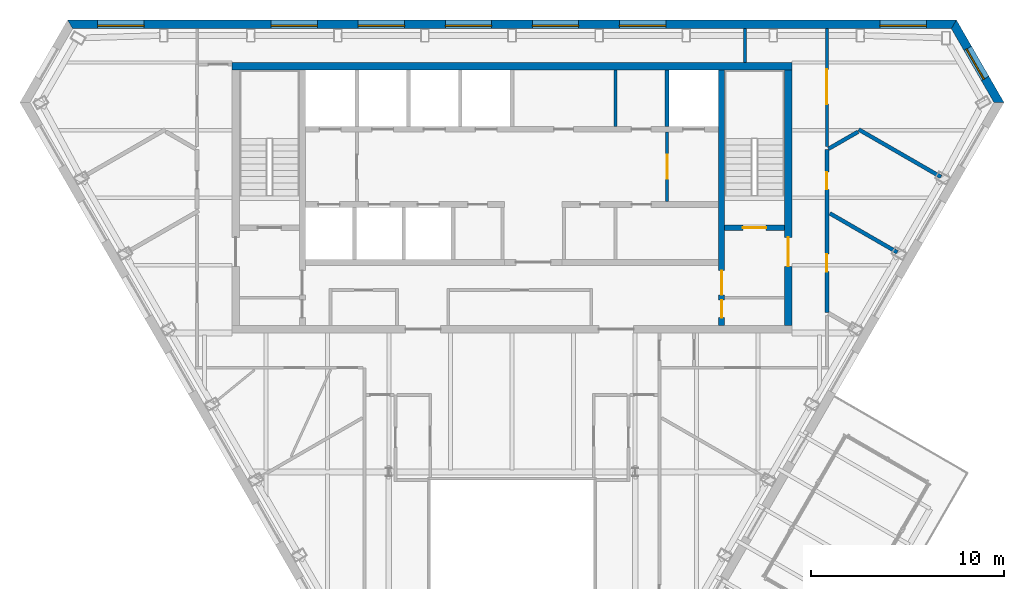
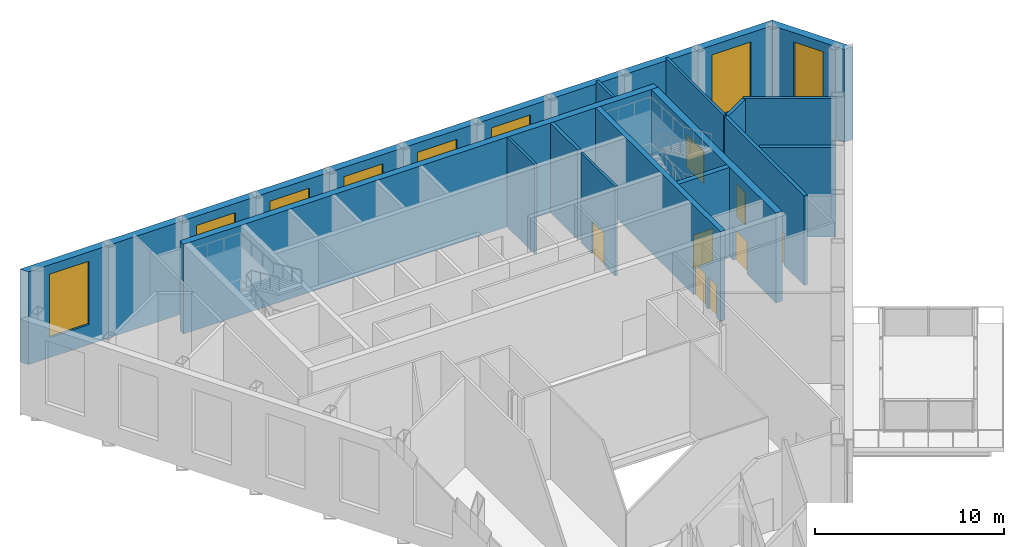
# One storey, part 8 of 11: 15 walls, 8 doors, 8 windows, 16 openings.
"""IFC4 building model written with IfcOpenShell, lengths in metres."""

from ifc_helpers import new_model, si_unit, direction, frame, frame_2d, origin, place, context, subcontext, project, spatial, polyline, rectangle, outline, extrude, material, layer, layer_set, type_object, element, fill, save


model = new_model("IFC4")

# Units and contexts
model_context = context("Model", 3, precision=1e-05, world=origin(), true_north=direction((0.0, 1.0)))
body_context = subcontext(model_context, "Body", "Model", "MODEL_VIEW")
ifc_project = project(units=[si_unit("LENGTHUNIT", "METRE"), si_unit("AREAUNIT", "SQUARE_METRE"), si_unit("VOLUMEUNIT", "CUBIC_METRE"), si_unit("PLANEANGLEUNIT", "RADIAN"), si_unit("MASSUNIT", "GRAM", prefix="KILO")], contexts=[model_context])

# Site, building, storey
site_placement = place(None, origin())
site = spatial("IfcSite", under=ifc_project, at=site_placement, CompositionType="ELEMENT")
building_placement = place(site_placement, origin())
building = spatial("IfcBuilding", under=site, at=building_placement, Name="Njiva Tower", CompositionType="ELEMENT")
storey_placement = place(building_placement, frame((0.0, 0.0, 298.2)))
storey = spatial("IfcBuildingStorey", under=building, at=storey_placement, Name="L68", CompositionType="ELEMENT", Elevation=298.2)

# Wall
ifc_material_1 = material(Name="Blockwork", Category="masonry")
ifc_layer_1 = layer(ifc_material_1, 0.15)
ifc_layer_set_1 = layer_set([ifc_layer_1], Name="Blockwork")
wall_type_1 = type_object("IfcWallType", Name="WT1 Compartment partition 150", PredefinedType="PARTITIONING", material=ifc_layer_set_1)
wall_1_placement = place(storey_placement, frame((5.35, 14.7, 0.0), z_axis=(0.0, 0.0, 1.0), x_axis=(0.0, 1.0, 0.0)))
element("IfcWall", 1, at=wall_1_placement, inside=storey, type_object=wall_type_1, Name="Partition CN6", PredefinedType="PARTITIONING", context=body_context, shape_type="SweptSolid", body=[
    extrude(rectangle(XDim=2.9, YDim=0.15, at=frame_2d((1.45, 0.0))), origin(), (0.0, 0.0, 1.0), 5.8),
])

# Wall, openings, doors
ifc_material_2 = material(Name="Concrete C40/50", Category="concrete")
ifc_layer_2 = layer(ifc_material_2, 0.3)
ifc_layer_set_2 = layer_set([ifc_layer_2], Name="Concrete C40/50")
wall_type_2 = type_object("IfcWallType", Name="WT10 Stair enclosure wall 300", PredefinedType="SHEAR", material=ifc_layer_set_2)
wall_2_placement = place(storey_placement, frame((10.85, 4.4, 0.0), z_axis=(0.0, 0.0, 1.0), x_axis=(0.0, 1.0, 0.0)))
wall_2 = element("IfcWall", 2, at=wall_2_placement, inside=storey, type_object=wall_type_2, Name="Stair wall east inner", PredefinedType="SHEAR", context=body_context, shape_type="SweptSolid", body=[
    extrude(rectangle(XDim=13.2, YDim=0.3, at=frame_2d((6.6, 0.0))), origin(), (0.0, 0.0, 1.0), 5.8),
])
opening_1_placement = place(wall_2_placement, frame((1.575, 0.0, 0.0)))
opening_1 = element("IfcOpeningElement", 3, at=opening_1_placement, cuts=wall_2, Name="Opening S22-D921", PredefinedType="OPENING", context=body_context, shape_type="SweptSolid", body=[
    extrude(rectangle(XDim=1.25, YDim=2.1, at=frame_2d((0.625, 1.05))), frame((0.0, 0.16, 0.0), z_axis=(0.0, -1.0, 0.0), x_axis=(1.0, 0.0, 0.0)), (0.0, 0.0, 1.0), 0.32),
])
opening_2_placement = place(wall_2_placement, frame((0.4, 0.0, 0.0)))
opening_2 = element("IfcOpeningElement", 4, at=opening_2_placement, cuts=wall_2, Name="Opening S22-D923", PredefinedType="OPENING", context=body_context, shape_type="SweptSolid", body=[
    extrude(rectangle(XDim=0.9, YDim=2.1, at=frame_2d((0.45, 1.05))), frame((0.0, 0.16, 0.0), z_axis=(0.0, -1.0, 0.0), x_axis=(1.0, 0.0, 0.0)), (0.0, 0.0, 1.0), 0.32),
])
ifc_material_3 = material(Name="Steel door, painted", Category="steel")
door_type_1 = type_object("IfcDoorType", Name="D13 Steel door 900x2100", OperationType="SINGLE_SWING_LEFT", PredefinedType="DOOR", material=ifc_material_3)
door_1_placement = place(opening_2_placement, origin())
door_1 = element("IfcDoor", 5, at=door_1_placement, inside=storey, type_object=door_type_1, Name="Reading room door", OperationType="SINGLE_SWING_LEFT", OverallHeight=2.1, OverallWidth=0.9, PredefinedType="DOOR", context=body_context, shape_type="SweptSolid", body=[
    extrude(rectangle(XDim=0.9, YDim=2.1, at=frame_2d((0.45, 1.05))), frame((0.0, 0.025, 0.0), z_axis=(0.0, -1.0, 0.0), x_axis=(1.0, 0.0, 0.0)), (0.0, 0.0, 1.0), 0.05),
])
fill(opening_2, door_1)
ifc_material_4 = material(Name="Glazed steel fire door", Category="steel")
door_type_2 = type_object("IfcDoorType", Name="D8 Vestibule corridor door 1250x2100 glazed", OperationType="SINGLE_SWING_LEFT", PredefinedType="DOOR", material=ifc_material_4)
door_2_placement = place(opening_1_placement, origin())
door_2 = element("IfcDoor", 6, at=door_2_placement, inside=storey, type_object=door_type_2, Name="Stair vestibule corridor door", OperationType="SINGLE_SWING_RIGHT", OverallHeight=2.1, OverallWidth=1.25, PredefinedType="DOOR", context=body_context, shape_type="SweptSolid", body=[
    extrude(rectangle(XDim=1.25, YDim=2.1, at=frame_2d((0.625, 1.05))), frame((0.0, 0.025, 0.0), z_axis=(0.0, -1.0, 0.0), x_axis=(1.0, 0.0, 0.0)), (0.0, 0.0, 1.0), 0.05),
])
fill(opening_1, door_2)

# Wall, opening, door
wall_3_placement = place(storey_placement, frame((11.0, 9.45, 0.0), z_axis=(0.0, 0.0, 1.0), x_axis=(1.0, 0.0, 0.0)))
wall_3 = element("IfcWall", 7, at=wall_3_placement, inside=storey, type_object=wall_type_2, Name="Stair B south wall", PredefinedType="SHEAR", context=body_context, shape_type="SweptSolid", body=[
    extrude(rectangle(XDim=3.1, YDim=0.3, at=frame_2d((1.55, 0.0))), origin(), (0.0, 0.0, 1.0), 5.8),
])
opening_3_placement = place(wall_3_placement, frame((0.95, 0.0, 0.0)))
opening_3 = element("IfcOpeningElement", 8, at=opening_3_placement, cuts=wall_3, Name="Opening S22-D920", PredefinedType="OPENING", context=body_context, shape_type="SweptSolid", body=[
    extrude(rectangle(XDim=1.2, YDim=2.1, at=frame_2d((0.6, 1.05))), frame((0.0, 0.16, 0.0), z_axis=(0.0, -1.0, 0.0), x_axis=(1.0, 0.0, 0.0)), (0.0, 0.0, 1.0), 0.32),
])
door_type_3 = type_object("IfcDoorType", Name="D7 Stair vestibule door 1200x2100 glazed", OperationType="SINGLE_SWING_LEFT", PredefinedType="DOOR", material=ifc_material_4)
door_3_placement = place(opening_3_placement, origin())
door_3 = element("IfcDoor", 9, at=door_3_placement, inside=storey, type_object=door_type_3, Name="Stair B door", OperationType="SINGLE_SWING_LEFT", OverallHeight=2.1, OverallWidth=1.2, PredefinedType="DOOR", context=body_context, shape_type="SweptSolid", body=[
    extrude(rectangle(XDim=1.2, YDim=2.1, at=frame_2d((0.6, 1.05))), frame((0.0, 0.025, 0.0), z_axis=(0.0, -1.0, 0.0), x_axis=(1.0, 0.0, 0.0)), (0.0, 0.0, 1.0), 0.05),
])
fill(opening_3, door_3)

# Wall
ifc_material_5 = material(Name="Concrete C60/75", Category="concrete")
ifc_layer_3 = layer(ifc_material_5, 0.4)
ifc_layer_set_3 = layer_set([ifc_layer_3], Name="Concrete C60/75")
wall_type_3 = type_object("IfcWallType", Name="WT11 Core wall 400", PredefinedType="SHEAR", material=ifc_layer_set_3)
wall_4_placement = place(storey_placement, frame((-14.5, 17.8, 0.0), z_axis=(0.0, 0.0, 1.0), x_axis=(1.0, 0.0, 0.0)))
element("IfcWall", 10, at=wall_4_placement, inside=storey, type_object=wall_type_3, Name="Core wall north", PredefinedType="SHEAR", context=body_context, shape_type="SweptSolid", body=[
    extrude(rectangle(XDim=29.0, YDim=0.4, at=frame_2d((14.5, 0.0))), origin(), (0.0, 0.0, 1.0), 5.8),
])

# Wall, opening, door
wall_5_placement = place(storey_placement, frame((14.3, 4.4, 0.0), z_axis=(0.0, 0.0, 1.0), x_axis=(0.0, 1.0, 0.0)))
wall_5 = element("IfcWall", 11, at=wall_5_placement, inside=storey, type_object=wall_type_3, Name="Core wall east", PredefinedType="SHEAR", context=body_context, shape_type="SweptSolid", body=[
    extrude(rectangle(XDim=13.2, YDim=0.4, at=frame_2d((6.6, 0.0))), origin(), (0.0, 0.0, 1.0), 5.8),
])
opening_4_placement = place(wall_5_placement, frame((3.05, 0.0, 0.0)))
opening_4 = element("IfcOpeningElement", 12, at=opening_4_placement, cuts=wall_5, Name="Opening S22-D922", PredefinedType="OPENING", context=body_context, shape_type="SweptSolid", body=[
    extrude(rectangle(XDim=1.5, YDim=2.1, at=frame_2d((0.75, 1.05))), frame((0.0, 0.21, 0.0), z_axis=(0.0, -1.0, 0.0), x_axis=(1.0, 0.0, 0.0)), (0.0, 0.0, 1.0), 0.42),
])
door_type_4 = type_object("IfcDoorType", Name="D10 Exit door double 1500x2100 glazed", OperationType="DOUBLE_DOOR_SINGLE_SWING", PredefinedType="DOOR", material=ifc_material_4)
door_4_placement = place(opening_4_placement, origin())
door_4 = element("IfcDoor", 13, at=door_4_placement, inside=storey, type_object=door_type_4, Name="Stair B corridor door", OperationType="DOUBLE_DOOR_SINGLE_SWING", OverallHeight=2.1, OverallWidth=1.5, PredefinedType="DOOR", context=body_context, shape_type="SweptSolid", body=[
    extrude(rectangle(XDim=1.5, YDim=2.1, at=frame_2d((0.75, 1.05))), frame((0.0, 0.025, 0.0), z_axis=(0.0, -1.0, 0.0), x_axis=(1.0, 0.0, 0.0)), (0.0, 0.0, 1.0), 0.05),
])
fill(opening_4, door_4)

ifc_layer_4 = layer(ifc_material_1, 0.15)
ifc_layer_set_4 = layer_set([ifc_layer_4], Name="Blockwork")
wall_type_4 = type_object("IfcWallType", Name="WT2 Lobby partition 150", PredefinedType="PARTITIONING", material=ifc_layer_set_4)
wall_6_placement = place(storey_placement, frame((8.025, 10.8, 0.0), z_axis=(0.0, 0.0, 1.0), x_axis=(0.0, 1.0, 0.0)))
wall_6 = element("IfcWall", 14, at=wall_6_placement, inside=storey, type_object=wall_type_4, Name="Firefighting lobby wall B", PredefinedType="PARTITIONING", context=body_context, shape_type="SweptSolid", body=[
    extrude(rectangle(XDim=3.6, YDim=0.15, at=frame_2d((1.8, 0.0))), origin(), (0.0, 0.0, 1.0), 5.8),
])
opening_5_placement = place(wall_6_placement, frame((1.175, 0.0, 0.0)))
opening_5 = element("IfcOpeningElement", 15, at=opening_5_placement, cuts=wall_6, Name="Opening S22-D919", PredefinedType="OPENING", context=body_context, shape_type="SweptSolid", body=[
    extrude(rectangle(XDim=1.25, YDim=2.1, at=frame_2d((0.625, 1.05))), frame((0.0, 0.085, 0.0), z_axis=(0.0, -1.0, 0.0), x_axis=(1.0, 0.0, 0.0)), (0.0, 0.0, 1.0), 0.17),
])
door_5_placement = place(opening_5_placement, origin())
door_5 = element("IfcDoor", 16, at=door_5_placement, inside=storey, type_object=door_type_2, Name="Stair vestibule corridor door", OperationType="SINGLE_SWING_LEFT", OverallHeight=2.1, OverallWidth=1.25, PredefinedType="DOOR", context=body_context, shape_type="SweptSolid", body=[
    extrude(rectangle(XDim=1.25, YDim=2.1, at=frame_2d((0.625, 1.05))), frame((0.0, 0.025, 0.0), z_axis=(0.0, -1.0, 0.0), x_axis=(1.0, 0.0, 0.0)), (0.0, 0.0, 1.0), 0.05),
])
fill(opening_5, door_5)

# Wall
ifc_material_6 = material(Name="Gypsum board on steel studs", Category="gypsum")
ifc_layer_5 = layer(ifc_material_6, 0.15)
ifc_layer_set_5 = layer_set([ifc_layer_5], Name="Gypsum board on steel studs")
wall_type_5 = type_object("IfcWallType", Name="WT21 Compartment wall 150", PredefinedType="PARTITIONING", material=ifc_layer_set_5)
wall_7_placement = place(storey_placement, frame((12.05, 18.0, 0.0), z_axis=(0.0, 0.0, 1.0), x_axis=(0.0, 1.0, 0.0)))
element("IfcWall", 17, at=wall_7_placement, inside=storey, type_object=wall_type_5, Name="Partition S22-P032", PredefinedType="PARTITIONING", context=body_context, shape_type="SweptSolid", body=[
    extrude(rectangle(XDim=1.75, YDim=0.15, at=frame_2d((0.875, 0.0))), origin(), (0.0, 0.0, 1.0), 5.8),
])

# Wall, opening, door
wall_8_placement = place(storey_placement, frame((16.3, 19.748, 0.0), z_axis=(0.0, 0.0, 1.0), x_axis=(0.00016385384, -0.999999986576, 0.0)))
wall_8 = element("IfcWall", 18, at=wall_8_placement, inside=storey, type_object=wall_type_5, Name="Partition S22-P035", PredefinedType="PARTITIONING", context=body_context, shape_type="SweptSolid", body=[
    extrude(rectangle(XDim=6.103, YDim=0.15, at=frame_2d((3.0515, 0.0))), origin(), (0.0, 0.0, 1.0), 5.8),
])
opening_6_placement = place(wall_8_placement, frame((2.102, 0.0, 0.0)))
opening_6 = element("IfcOpeningElement", 19, at=opening_6_placement, cuts=wall_8, Name="Opening S22-D020", PredefinedType="OPENING", context=body_context, shape_type="SweptSolid", body=[
    extrude(rectangle(XDim=1.8, YDim=2.1, at=frame_2d((0.9, 1.05))), frame((0.0, 0.085, 0.0), z_axis=(0.0, -1.0, 0.0), x_axis=(1.0, 0.0, 0.0)), (0.0, 0.0, 1.0), 0.17),
])
ifc_material_7 = material(Name="Steel fire door set", Category="steel")
door_type_5 = type_object("IfcDoorType", Name="D38 Fire door 1800x2100", OperationType="DOUBLE_DOOR_SINGLE_SWING", PredefinedType="DOOR", material=ifc_material_7)
door_6_placement = place(opening_6_placement, origin())
door_6 = element("IfcDoor", 20, at=door_6_placement, inside=storey, type_object=door_type_5, Name="Door S22-D020", OperationType="DOUBLE_DOOR_SINGLE_SWING", OverallHeight=2.1, OverallWidth=1.8, PredefinedType="DOOR", context=body_context, shape_type="SweptSolid", body=[
    extrude(rectangle(XDim=1.8, YDim=2.1, at=frame_2d((0.9, 1.05))), frame((0.0, 0.025, 0.0), z_axis=(0.0, -1.0, 0.0), x_axis=(1.0, 0.0, 0.0)), (0.0, 0.0, 1.0), 0.05),
])
fill(opening_6, door_6)

# Wall, openings, doors
ifc_layer_6 = layer(ifc_material_1, 0.2)
ifc_layer_set_6 = layer_set([ifc_layer_6], Name="Blockwork")
wall_type_6 = type_object("IfcWallType", Name="WT22 Plant room wall 200", PredefinedType="PARTITIONING", material=ifc_layer_set_6)
wall_9_placement = place(storey_placement, frame((16.3, 5.061, 0.0), z_axis=(0.0, 0.0, 1.0), x_axis=(0.0, 1.0, 0.0)))
wall_9 = element("IfcWall", 21, at=wall_9_placement, inside=storey, type_object=wall_type_6, Name="Partition S22-P034", PredefinedType="PARTITIONING", context=body_context, shape_type="SweptSolid", body=[
    extrude(rectangle(XDim=8.437, YDim=0.2, at=frame_2d((4.2185, 0.0))), origin(), (0.0, 0.0, 1.0), 5.8),
])
opening_7_placement = place(wall_9_placement, frame((2.115, 0.0, 0.0)))
opening_7 = element("IfcOpeningElement", 22, at=opening_7_placement, cuts=wall_9, Name="Opening S22-D018", PredefinedType="OPENING", context=body_context, shape_type="SweptSolid", body=[
    extrude(rectangle(XDim=0.9, YDim=2.1, at=frame_2d((0.45, 1.05))), frame((0.0, 0.11, 0.0), z_axis=(0.0, -1.0, 0.0), x_axis=(1.0, 0.0, 0.0)), (0.0, 0.0, 1.0), 0.22),
])
opening_8_placement = place(wall_9_placement, frame((6.371, 0.0, 0.0)))
opening_8 = element("IfcOpeningElement", 23, at=opening_8_placement, cuts=wall_9, Name="Opening S22-D019", PredefinedType="OPENING", context=body_context, shape_type="SweptSolid", body=[
    extrude(rectangle(XDim=0.9, YDim=2.1, at=frame_2d((0.45, 1.05))), frame((0.0, 0.11, 0.0), z_axis=(0.0, -1.0, 0.0), x_axis=(1.0, 0.0, 0.0)), (0.0, 0.0, 1.0), 0.22),
])
door_type_6 = type_object("IfcDoorType", Name="D36 Fire door 900x2100", OperationType="SINGLE_SWING_LEFT", PredefinedType="DOOR", material=ifc_material_7)
door_7_placement = place(opening_7_placement, origin())
door_7 = element("IfcDoor", 24, at=door_7_placement, inside=storey, type_object=door_type_6, Name="Door S22-D018", OperationType="SINGLE_SWING_LEFT", OverallHeight=2.1, OverallWidth=0.9, PredefinedType="DOOR", context=body_context, shape_type="SweptSolid", body=[
    extrude(rectangle(XDim=0.9, YDim=2.1, at=frame_2d((0.45, 1.05))), frame((0.0, 0.025, 0.0), z_axis=(0.0, -1.0, 0.0), x_axis=(1.0, 0.0, 0.0)), (0.0, 0.0, 1.0), 0.05),
])
fill(opening_7, door_7)
door_8_placement = place(opening_8_placement, origin())
door_8 = element("IfcDoor", 25, at=door_8_placement, inside=storey, type_object=door_type_6, Name="Door S22-D019", OperationType="SINGLE_SWING_RIGHT", OverallHeight=2.1, OverallWidth=0.9, PredefinedType="DOOR", context=body_context, shape_type="SweptSolid", body=[
    extrude(rectangle(XDim=0.9, YDim=2.1, at=frame_2d((0.45, 1.05))), frame((0.0, 0.025, 0.0), z_axis=(0.0, -1.0, 0.0), x_axis=(1.0, 0.0, 0.0)), (0.0, 0.0, 1.0), 0.05),
])
fill(opening_8, door_8)

# Walls
wall_10_placement = place(storey_placement, frame((16.38, 13.532, 0.0), z_axis=(0.0, 0.0, 1.0), x_axis=(0.866289053052, 0.499543067775, 0.0)))
element("IfcWall", 26, at=wall_10_placement, inside=storey, type_object=wall_type_6, Name="Partition S22-P036", PredefinedType="PARTITIONING", context=body_context, shape_type="SweptSolid", body=[
    extrude(rectangle(XDim=1.7696, YDim=0.2, at=frame_2d((0.8848, 0.0))), origin(), (0.0, 0.0, 1.0), 5.8),
])
wall_11_placement = place(storey_placement, frame((16.45, 10.192, 0.0), z_axis=(0.0, 0.0, 1.0), x_axis=(0.866024748725, -0.500001134594, 0.0)))
element("IfcWall", 27, at=wall_11_placement, inside=storey, type_object=wall_type_6, Name="Partition S22-P038", PredefinedType="PARTITIONING", context=body_context, shape_type="SweptSolid", body=[
    extrude(rectangle(XDim=4.038, YDim=0.2, at=frame_2d((2.019, 0.0))), origin(), (0.0, 0.0, 1.0), 5.8),
])
wall_12_placement = place(storey_placement, frame((17.944, 14.534, 0.0), z_axis=(0.0, 0.0, 1.0), x_axis=(0.866182198585, -0.499728325047, 0.0)))
element("IfcWall", 28, at=wall_12_placement, inside=storey, type_object=wall_type_6, Name="Partition S22-P039", PredefinedType="PARTITIONING", context=body_context, shape_type="SweptSolid", body=[
    extrude(rectangle(XDim=4.9147, YDim=0.2, at=frame_2d((2.4574, 0.0))), origin(), (0.0, 0.0, 1.0), 5.8),
])
ifc_layer_7 = layer(ifc_material_2, 0.2)
ifc_layer_set_7 = layer_set([ifc_layer_7], Name="Concrete C40/50")
wall_type_7 = type_object("IfcWallType", Name="WT6 Lift shaft wall 200", PredefinedType="SHEAR", material=ifc_layer_set_7)
wall_13_placement = place(storey_placement, frame((8.025, 14.7, 0.0), z_axis=(0.0, 0.0, 1.0), x_axis=(0.0, 1.0, 0.0)))
element("IfcWall", 29, at=wall_13_placement, inside=storey, type_object=wall_type_7, Name="Shaft wall CN7", PredefinedType="SHEAR", context=body_context, shape_type="SweptSolid", body=[
    extrude(rectangle(XDim=2.9, YDim=0.2, at=frame_2d((1.45, 0.0))), origin(), (0.0, 0.0, 1.0), 5.8),
])

# Wall, openings, windows
ifc_material_8 = material(Name="Brick masonry", Category="masonry")
ifc_layer_8 = layer(ifc_material_8, 0.45)
ifc_layer_set_8 = layer_set([ifc_layer_8], Name="Brick masonry")
wall_type_8 = type_object("IfcWallType", Name="WT90 Brick pier and spandrel wall 450", PredefinedType="SOLIDWALL", material=ifc_layer_set_8)
wall_14_placement = place(storey_placement, frame((22.8701, 19.975, -0.4), z_axis=(0.0, 0.0, 1.0), x_axis=(-1.0, 0.0, 0.0)))
wall_14 = element("IfcWall", 30, at=wall_14_placement, inside=storey, type_object=wall_type_8, Name="Facade wall N", PredefinedType="SOLIDWALL", context=body_context, shape_type="SweptSolid", body=[
    extrude(outline(polyline([(-0.1299, -0.225), (45.8701, -0.225), (45.6103, 0.225), (0.1299, 0.225), (-0.1299, -0.225)])), origin(), (0.0, 0.0, 1.0), 6.0),
])
opening_9_placement = place(wall_14_placement, frame((1.4242, 0.0, 1.3)))
opening_9 = element("IfcOpeningElement", 31, at=opening_9_placement, cuts=wall_14, Name="Opening S22-W01", PredefinedType="OPENING", context=body_context, shape_type="SweptSolid", body=[
    extrude(rectangle(XDim=2.4, YDim=4.1, at=frame_2d((1.2, 2.05))), frame((0.0, 0.235, 0.0), z_axis=(0.0, -1.0, 0.0), x_axis=(1.0, 0.0, 0.0)), (0.0, 0.0, 1.0), 0.47),
])
opening_10_placement = place(wall_14_placement, frame((14.9087, 0.0, 1.3)))
opening_10 = element("IfcOpeningElement", 32, at=opening_10_placement, cuts=wall_14, Name="Opening S22-W02", PredefinedType="OPENING", context=body_context, shape_type="SweptSolid", body=[
    extrude(rectangle(XDim=2.4, YDim=4.1, at=frame_2d((1.2, 2.05))), frame((0.0, 0.235, 0.0), z_axis=(0.0, -1.0, 0.0), x_axis=(1.0, 0.0, 0.0)), (0.0, 0.0, 1.0), 0.47),
])
opening_11_placement = place(wall_14_placement, frame((19.4163, 0.0, 1.3)))
opening_11 = element("IfcOpeningElement", 33, at=opening_11_placement, cuts=wall_14, Name="Opening S22-W03", PredefinedType="OPENING", context=body_context, shape_type="SweptSolid", body=[
    extrude(rectangle(XDim=2.4, YDim=4.1, at=frame_2d((1.2, 2.05))), frame((0.0, 0.235, 0.0), z_axis=(0.0, -1.0, 0.0), x_axis=(1.0, 0.0, 0.0)), (0.0, 0.0, 1.0), 0.47),
])
opening_12_placement = place(wall_14_placement, frame((23.9239, 0.0, 1.3)))
opening_12 = element("IfcOpeningElement", 34, at=opening_12_placement, cuts=wall_14, Name="Opening S22-W04", PredefinedType="OPENING", context=body_context, shape_type="SweptSolid", body=[
    extrude(rectangle(XDim=2.4, YDim=4.1, at=frame_2d((1.2, 2.05))), frame((0.0, 0.235, 0.0), z_axis=(0.0, -1.0, 0.0), x_axis=(1.0, 0.0, 0.0)), (0.0, 0.0, 1.0), 0.47),
])
opening_13_placement = place(wall_14_placement, frame((28.4315, 0.0, 1.3)))
opening_13 = element("IfcOpeningElement", 35, at=opening_13_placement, cuts=wall_14, Name="Opening S22-W05", PredefinedType="OPENING", context=body_context, shape_type="SweptSolid", body=[
    extrude(rectangle(XDim=2.4, YDim=4.1, at=frame_2d((1.2, 2.05))), frame((0.0, 0.235, 0.0), z_axis=(0.0, -1.0, 0.0), x_axis=(1.0, 0.0, 0.0)), (0.0, 0.0, 1.0), 0.47),
])
opening_14_placement = place(wall_14_placement, frame((32.9391, 0.0, 1.3)))
opening_14 = element("IfcOpeningElement", 36, at=opening_14_placement, cuts=wall_14, Name="Opening S22-W06", PredefinedType="OPENING", context=body_context, shape_type="SweptSolid", body=[
    extrude(rectangle(XDim=2.4, YDim=4.1, at=frame_2d((1.2, 2.05))), frame((0.0, 0.235, 0.0), z_axis=(0.0, -1.0, 0.0), x_axis=(1.0, 0.0, 0.0)), (0.0, 0.0, 1.0), 0.47),
])
opening_15_placement = place(wall_14_placement, frame((41.916, 0.0, 1.3)))
opening_15 = element("IfcOpeningElement", 37, at=opening_15_placement, cuts=wall_14, Name="Opening S22-W07", PredefinedType="OPENING", context=body_context, shape_type="SweptSolid", body=[
    extrude(rectangle(XDim=2.4, YDim=4.1, at=frame_2d((1.2, 2.05))), frame((0.0, 0.235, 0.0), z_axis=(0.0, -1.0, 0.0), x_axis=(1.0, 0.0, 0.0)), (0.0, 0.0, 1.0), 0.47),
])
ifc_material_9 = material(Name="Clear glazing in aluminium frame", Category="aluminium")
window_type_1 = type_object("IfcWindowType", Name="W93 Deep-set window 2400x4100", PartitioningType="SINGLE_PANEL", PredefinedType="WINDOW", material=ifc_material_9)
window_1_placement = place(opening_9_placement, origin())
window_1 = element("IfcWindow", 38, at=window_1_placement, inside=storey, type_object=window_type_1, Name="Window", OverallHeight=4.1, OverallWidth=2.4, PartitioningType="SINGLE_PANEL", PredefinedType="WINDOW", context=body_context, shape_type="SweptSolid", body=[
    extrude(rectangle(XDim=2.4, YDim=4.1, at=frame_2d((1.2, 2.05))), frame((0.0, 0.105, 0.0), z_axis=(0.0, -1.0, 0.0), x_axis=(1.0, 0.0, 0.0)), (0.0, 0.0, 1.0), 0.06),
])
fill(opening_9, window_1)
window_2_placement = place(opening_10_placement, origin())
window_2 = element("IfcWindow", 39, at=window_2_placement, inside=storey, type_object=window_type_1, Name="Window", OverallHeight=4.1, OverallWidth=2.4, PartitioningType="SINGLE_PANEL", PredefinedType="WINDOW", context=body_context, shape_type="SweptSolid", body=[
    extrude(rectangle(XDim=2.4, YDim=4.1, at=frame_2d((1.2, 2.05))), frame((0.0, 0.105, 0.0), z_axis=(0.0, -1.0, 0.0), x_axis=(1.0, 0.0, 0.0)), (0.0, 0.0, 1.0), 0.06),
])
fill(opening_10, window_2)
window_3_placement = place(opening_11_placement, origin())
window_3 = element("IfcWindow", 40, at=window_3_placement, inside=storey, type_object=window_type_1, Name="Window", OverallHeight=4.1, OverallWidth=2.4, PartitioningType="SINGLE_PANEL", PredefinedType="WINDOW", context=body_context, shape_type="SweptSolid", body=[
    extrude(rectangle(XDim=2.4, YDim=4.1, at=frame_2d((1.2, 2.05))), frame((0.0, 0.105, 0.0), z_axis=(0.0, -1.0, 0.0), x_axis=(1.0, 0.0, 0.0)), (0.0, 0.0, 1.0), 0.06),
])
fill(opening_11, window_3)
window_4_placement = place(opening_12_placement, origin())
window_4 = element("IfcWindow", 41, at=window_4_placement, inside=storey, type_object=window_type_1, Name="Window", OverallHeight=4.1, OverallWidth=2.4, PartitioningType="SINGLE_PANEL", PredefinedType="WINDOW", context=body_context, shape_type="SweptSolid", body=[
    extrude(rectangle(XDim=2.4, YDim=4.1, at=frame_2d((1.2, 2.05))), frame((0.0, 0.105, 0.0), z_axis=(0.0, -1.0, 0.0), x_axis=(1.0, 0.0, 0.0)), (0.0, 0.0, 1.0), 0.06),
])
fill(opening_12, window_4)
window_5_placement = place(opening_13_placement, origin())
window_5 = element("IfcWindow", 42, at=window_5_placement, inside=storey, type_object=window_type_1, Name="Window", OverallHeight=4.1, OverallWidth=2.4, PartitioningType="SINGLE_PANEL", PredefinedType="WINDOW", context=body_context, shape_type="SweptSolid", body=[
    extrude(rectangle(XDim=2.4, YDim=4.1, at=frame_2d((1.2, 2.05))), frame((0.0, 0.105, 0.0), z_axis=(0.0, -1.0, 0.0), x_axis=(1.0, 0.0, 0.0)), (0.0, 0.0, 1.0), 0.06),
])
fill(opening_13, window_5)
window_6_placement = place(opening_14_placement, origin())
window_6 = element("IfcWindow", 43, at=window_6_placement, inside=storey, type_object=window_type_1, Name="Window", OverallHeight=4.1, OverallWidth=2.4, PartitioningType="SINGLE_PANEL", PredefinedType="WINDOW", context=body_context, shape_type="SweptSolid", body=[
    extrude(rectangle(XDim=2.4, YDim=4.1, at=frame_2d((1.2, 2.05))), frame((0.0, 0.105, 0.0), z_axis=(0.0, -1.0, 0.0), x_axis=(1.0, 0.0, 0.0)), (0.0, 0.0, 1.0), 0.06),
])
fill(opening_14, window_6)
window_7_placement = place(opening_15_placement, origin())
window_7 = element("IfcWindow", 44, at=window_7_placement, inside=storey, type_object=window_type_1, Name="Window", OverallHeight=4.1, OverallWidth=2.4, PartitioningType="SINGLE_PANEL", PredefinedType="WINDOW", context=body_context, shape_type="SweptSolid", body=[
    extrude(rectangle(XDim=2.4, YDim=4.1, at=frame_2d((1.2, 2.05))), frame((0.0, 0.105, 0.0), z_axis=(0.0, -1.0, 0.0), x_axis=(1.0, 0.0, 0.0)), (0.0, 0.0, 1.0), 0.06),
])
fill(opening_15, window_7)

# Wall, opening, window
ifc_material_10 = material(Name="Brick masonry, buff", Category="masonry")
ifc_layer_9 = layer(ifc_material_10, 0.45)
ifc_layer_set_9 = layer_set([ifc_layer_9], Name="Brick masonry, buff")
wall_type_9 = type_object("IfcWallType", Name="WT94 Brick pier and spandrel wall 450, buff", PredefinedType="SOLIDWALL", material=ifc_layer_set_9)
wall_15_placement = place(storey_placement, frame((25.2052, 15.9305, -0.4), z_axis=(0.0, 0.0, 1.0), x_axis=(-0.500001097856, 0.866024769936, 0.0)))
wall_15 = element("IfcWall", 45, at=wall_15_placement, inside=storey, type_object=wall_type_9, Name="Facade wall NE", PredefinedType="SOLIDWALL", context=body_context, shape_type="SweptSolid", body=[
    extrude(outline(polyline([(-0.1299, -0.225), (4.8001, -0.225), (4.5403, 0.225), (0.1299, 0.225), (-0.1299, -0.225)])), origin(), (0.0, 0.0, 1.0), 6.0),
])
opening_16_placement = place(wall_15_placement, frame((1.4351, 0.0, 1.3)))
opening_16 = element("IfcOpeningElement", 46, at=opening_16_placement, cuts=wall_15, Name="Opening S22-W28", PredefinedType="OPENING", context=body_context, shape_type="SweptSolid", body=[
    extrude(rectangle(XDim=1.8, YDim=4.1, at=frame_2d((0.9, 2.05))), frame((0.0, 0.235, 0.0), z_axis=(0.0, -1.0, 0.0), x_axis=(1.0, 0.0, 0.0)), (0.0, 0.0, 1.0), 0.47),
])
window_type_2 = type_object("IfcWindowType", Name="W97 Deep-set window 1800x4100", PartitioningType="SINGLE_PANEL", PredefinedType="WINDOW", material=ifc_material_9)
window_8_placement = place(opening_16_placement, origin())
window_8 = element("IfcWindow", 47, at=window_8_placement, inside=storey, type_object=window_type_2, Name="Window", OverallHeight=4.1, OverallWidth=1.8, PartitioningType="SINGLE_PANEL", PredefinedType="WINDOW", context=body_context, shape_type="SweptSolid", body=[
    extrude(rectangle(XDim=1.8, YDim=4.1, at=frame_2d((0.9, 2.05))), frame((0.0, 0.105, 0.0), z_axis=(0.0, -1.0, 0.0), x_axis=(1.0, 0.0, 0.0)), (0.0, 0.0, 1.0), 0.06),
])
fill(opening_16, window_8)

save(model, "model.ifc")
